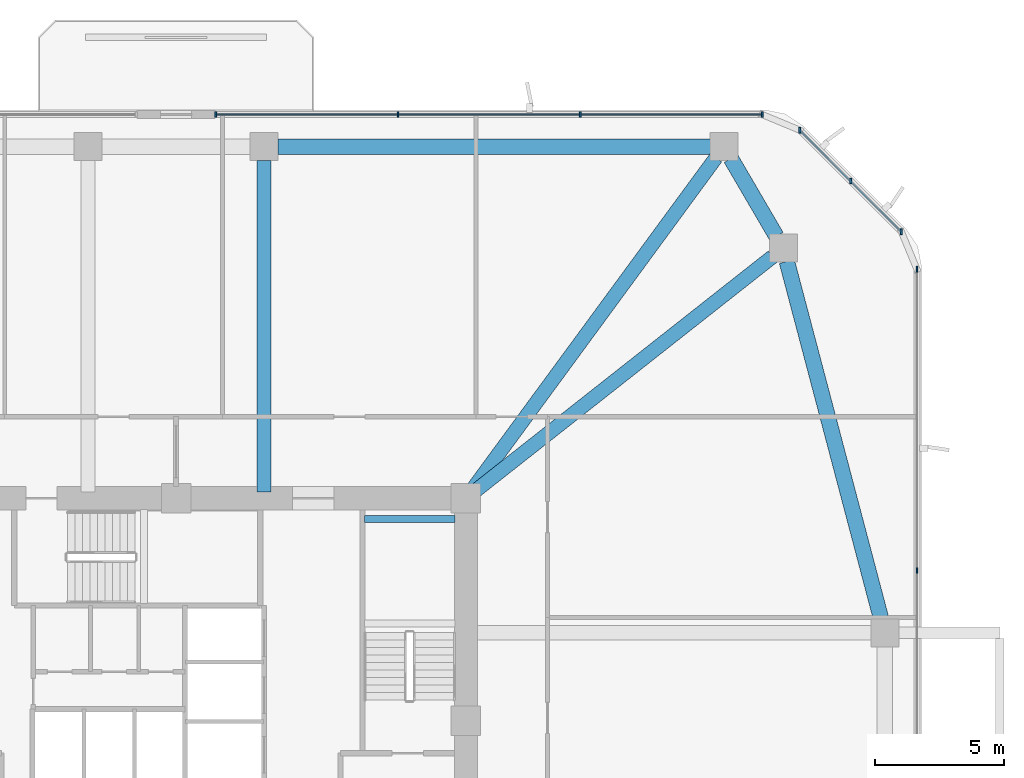
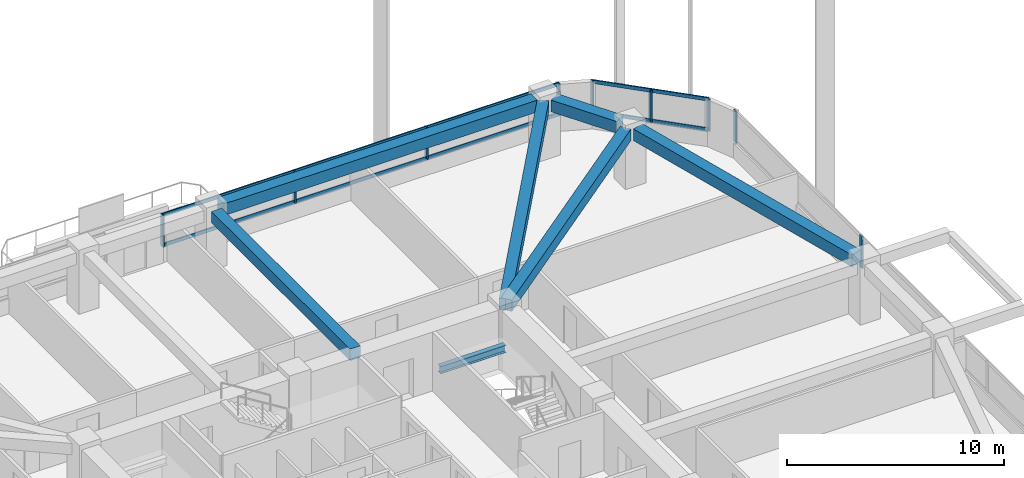
# One storey, part 7 of 17: 13 members, 7 beams, 3 elements without a shape of their own.
"""IFC4 building model written with IfcOpenShell, lengths in metres."""

from ifc_helpers import new_model, si_unit, derived_unit, direction, frame, origin, origin_2d, place, context, subcontext, project, spatial, rectangle, i_section, extrude, material, material_profile, profile_set, type_object, element, aggregate, save


model = new_model("IFC4")

# Units and contexts
model_context = context("Model", 3, precision=1e-05, world=origin(), true_north=direction((0.0, 1.0)))
body_context = subcontext(model_context, "Body", "Model", "MODEL_VIEW")
ifc_project = project(units=[si_unit("LENGTHUNIT", "METRE"), si_unit("AREAUNIT", "SQUARE_METRE"), si_unit("VOLUMEUNIT", "CUBIC_METRE"), si_unit("PLANEANGLEUNIT", "RADIAN"), si_unit("MASSUNIT", "GRAM", prefix="KILO"), derived_unit("THERMALTRANSMITTANCEUNIT", [(si_unit("POWERUNIT", "WATT"), 1), (si_unit("LENGTHUNIT", "METRE"), -2), (si_unit("THERMODYNAMICTEMPERATUREUNIT", "KELVIN"), -1)])], contexts=[model_context])

# Site, building, storey
site_placement = place(None, origin())
site = spatial("IfcSite", under=ifc_project, at=site_placement, CompositionType="ELEMENT")
building_placement = place(site_placement, origin())
building = spatial("IfcBuilding", under=site, at=building_placement, Name="Koralith Skygarden Medical Center", CompositionType="ELEMENT")
storey_placement = place(building_placement, frame((0.0, 0.0, 52.739990234375)))
storey = spatial("IfcBuildingStorey", under=building, at=storey_placement, Name="L13", CompositionType="ELEMENT", Elevation=52.739990234375)

# Curtain wall, members
ifc_material_1 = material(Name="Clear Laminated Glass", Category="glass")
curtain_wall_type = type_object("IfcCurtainWallType", Name="CW-2 Zone 1 Hurricane Unitised Curtain Wall", PredefinedType="NOTDEFINED", material=ifc_material_1)
curtain_wall_1_placement = place(storey_placement, origin())
curtain_wall_1 = element("IfcCurtainWall", 1, at=curtain_wall_1_placement, inside=storey, type_object=curtain_wall_type, Name="Curtain Wall CW-L13-E", PredefinedType="NOTDEFINED")
ifc_material_2 = material(Name="Aluminium 6063-T6", Category="aluminium")
ifc_material_profile_1 = material_profile(ifc_material_2, rectangle(XDim=0.071044921875, YDim=0.219970703125, at=origin_2d()), Name="MUL71X220")
ifc_profile_set_1 = profile_set([ifc_material_profile_1], Name="Aluminium 6063-T6")
member_type_1 = type_object("IfcMemberType", Name="CW-2 Extruded Mullion 71x220", PredefinedType="MULLION", material=ifc_profile_set_1)
member_1_placement = place(storey_placement, frame((65.6201171875, 31.715087890625, 0.85009765625), z_axis=(0.0, 0.0, 1.0), x_axis=(1.0, 0.0, 0.0)))
member_1 = element("IfcMember", 2, at=member_1_placement, type_object=member_type_1, Name="CW-L13-E Mullion 3", PredefinedType="MULLION", context=body_context, shape_type="SweptSolid", body=[
    extrude(rectangle(XDim=0.071044921875, YDim=0.219970703125, at=origin_2d()), origin(), (0.0, 0.0, 1.0), 1.7998046875),
])
member_2_placement = place(storey_placement, frame((65.6201171875, 43.344970703125, 0.85009765625), z_axis=(0.0, 0.0, 1.0), x_axis=(1.0, 0.0, 0.0)))
member_2 = element("IfcMember", 3, at=member_2_placement, type_object=member_type_1, Name="CW-L13-E Mullion 4", PredefinedType="MULLION", context=body_context, shape_type="SweptSolid", body=[
    extrude(rectangle(XDim=0.071044921875, YDim=0.219970703125, at=origin_2d()), origin(), (0.0, 0.0, 1.0), 1.7998046875),
])
aggregate(curtain_wall_1, [member_1, member_2])

curtain_wall_2_placement = place(storey_placement, origin())
curtain_wall_2 = element("IfcCurtainWall", 4, at=curtain_wall_2_placement, inside=storey, type_object=curtain_wall_type, Name="Curtain Wall CW-L13-NE", PredefinedType="NOTDEFINED")
member_3_placement = place(storey_placement, frame((65.01904296875, 44.7958984375, 0.85009765625), z_axis=(0.0, 0.0, 1.0), x_axis=(1.0, 0.0, 0.0)))
member_3 = element("IfcMember", 5, at=member_3_placement, type_object=member_type_1, Name="CW-L13-NE Mullion 1", PredefinedType="MULLION", context=body_context, shape_type="SweptSolid", body=[
    extrude(rectangle(XDim=0.071044921875, YDim=0.219970703125, at=origin_2d()), origin(), (0.0, 0.0, 1.0), 1.7998046875),
])
member_4_placement = place(storey_placement, frame((63.05810546875, 46.758056640625, 0.85009765625), z_axis=(0.0, 0.0, 1.0), x_axis=(1.0, 0.0, 0.0)))
member_4 = element("IfcMember", 6, at=member_4_placement, type_object=member_type_1, Name="CW-L13-NE Mullion 2", PredefinedType="MULLION", context=body_context, shape_type="SweptSolid", body=[
    extrude(rectangle(XDim=0.071044921875, YDim=0.219970703125, at=origin_2d()), origin(), (0.0, 0.0, 1.0), 1.7998046875),
])
member_5_placement = place(storey_placement, frame((61.095947265625, 48.718994140625, 0.85009765625), z_axis=(0.0, 0.0, 1.0), x_axis=(1.0, 0.0, 0.0)))
member_5 = element("IfcMember", 7, at=member_5_placement, type_object=member_type_1, Name="CW-L13-NE Mullion 3", PredefinedType="MULLION", context=body_context, shape_type="SweptSolid", body=[
    extrude(rectangle(XDim=0.071044921875, YDim=0.219970703125, at=origin_2d()), origin(), (0.0, 0.0, 1.0), 1.7998046875),
])

curtain_wall_3_placement = place(storey_placement, origin())
curtain_wall_3 = element("IfcCurtainWall", 8, at=curtain_wall_3_placement, inside=storey, type_object=curtain_wall_type, Name="Curtain Wall CW-L13-N-L", PredefinedType="NOTDEFINED")
member_6_placement = place(storey_placement, frame((59.64501953125, 49.320068359375, 0.85009765625), z_axis=(0.0, 0.0, 1.0), x_axis=(1.0, 0.0, 0.0)))
member_6 = element("IfcMember", 9, at=member_6_placement, type_object=member_type_1, Name="CW-L13-N-L Mullion 1", PredefinedType="MULLION", context=body_context, shape_type="SweptSolid", body=[
    extrude(rectangle(XDim=0.071044921875, YDim=0.219970703125, at=origin_2d()), origin(), (0.0, 0.0, 1.0), 1.7998046875),
])
member_7_placement = place(storey_placement, frame((52.610107421875, 49.320068359375, 0.85009765625), z_axis=(0.0, 0.0, 1.0), x_axis=(1.0, 0.0, 0.0)))
member_7 = element("IfcMember", 10, at=member_7_placement, type_object=member_type_1, Name="CW-L13-N-L Mullion 2", PredefinedType="MULLION", context=body_context, shape_type="SweptSolid", body=[
    extrude(rectangle(XDim=0.071044921875, YDim=0.219970703125, at=origin_2d()), origin(), (0.0, 0.0, 1.0), 1.7998046875),
])
member_8_placement = place(storey_placement, frame((45.574951171875, 49.320068359375, 0.85009765625), z_axis=(0.0, 0.0, 1.0), x_axis=(1.0, 0.0, 0.0)))
member_8 = element("IfcMember", 11, at=member_8_placement, type_object=member_type_1, Name="CW-L13-N-L Mullion 3", PredefinedType="MULLION", context=body_context, shape_type="SweptSolid", body=[
    extrude(rectangle(XDim=0.071044921875, YDim=0.219970703125, at=origin_2d()), origin(), (0.0, 0.0, 1.0), 1.7998046875),
])
member_9_placement = place(storey_placement, frame((38.5400390625, 49.320068359375, 0.85009765625), z_axis=(0.0, 0.0, 1.0), x_axis=(1.0, 0.0, 0.0)))
member_9 = element("IfcMember", 12, at=member_9_placement, type_object=member_type_1, Name="CW-L13-N-L Mullion 4", PredefinedType="MULLION", context=body_context, shape_type="SweptSolid", body=[
    extrude(rectangle(XDim=0.071044921875, YDim=0.219970703125, at=origin_2d()), origin(), (0.0, 0.0, 1.0), 1.7998046875),
])

# Member
ifc_material_profile_2 = material_profile(ifc_material_2, rectangle(XDim=0.06591796875, YDim=0.197998046875, at=origin_2d()), Name="TRN66X198")
ifc_profile_set_2 = profile_set([ifc_material_profile_2], Name="Aluminium 6063-T6")
member_type_2 = type_object("IfcMemberType", Name="CW-2 Thermal Transom 66x198", PredefinedType="USERDEFINED", material=ifc_profile_set_2)
member_10_placement = place(storey_placement, frame((65.01904296875, 44.7958984375, 0.89990234375), z_axis=(-0.707106781187, 0.707106781187, 0.0), x_axis=(-0.707106781187, -0.707106781187, 0.0)))
member_10 = element("IfcMember", 13, at=member_10_placement, type_object=member_type_2, Name="CW-L13-NE Transom 1", ObjectType="TRANSOM", PredefinedType="USERDEFINED", context=body_context, shape_type="SweptSolid", body=[
    extrude(rectangle(XDim=0.06591796875, YDim=0.197998046875, at=origin_2d()), origin(), (0.0, 0.0, 1.0), 5.548095703125),
])

member_11_placement = place(storey_placement, frame((65.01904296875, 44.7958984375, 2.60009765625), z_axis=(-0.707106781187, 0.707106781187, 0.0), x_axis=(-0.707106781187, -0.707106781187, 0.0)))
member_11 = element("IfcMember", 14, at=member_11_placement, type_object=member_type_2, Name="CW-L13-NE Transom 2", ObjectType="TRANSOM", PredefinedType="USERDEFINED", context=body_context, shape_type="SweptSolid", body=[
    extrude(rectangle(XDim=0.06591796875, YDim=0.197998046875, at=origin_2d()), origin(), (0.0, 0.0, 1.0), 5.548095703125),
])

aggregate(curtain_wall_2, [member_3, member_4, member_5, member_10, member_11])

member_12_placement = place(storey_placement, frame((59.64501953125, 49.320068359375, 0.89990234375), z_axis=(-1.0, 0.0, 0.0), x_axis=(0.0, -1.0, 0.0)))
member_12 = element("IfcMember", 15, at=member_12_placement, type_object=member_type_2, Name="CW-L13-N-L Transom 1", ObjectType="TRANSOM", PredefinedType="USERDEFINED", context=body_context, shape_type="SweptSolid", body=[
    extrude(rectangle(XDim=0.06591796875, YDim=0.197998046875, at=origin_2d()), origin(), (0.0, 0.0, 1.0), 21.10498046875),
])

member_13_placement = place(storey_placement, frame((59.64501953125, 49.320068359375, 2.60009765625), z_axis=(-1.0, 0.0, 0.0), x_axis=(0.0, -1.0, 0.0)))
member_13 = element("IfcMember", 16, at=member_13_placement, type_object=member_type_2, Name="CW-L13-N-L Transom 2", ObjectType="TRANSOM", PredefinedType="USERDEFINED", context=body_context, shape_type="SweptSolid", body=[
    extrude(rectangle(XDim=0.06591796875, YDim=0.197998046875, at=origin_2d()), origin(), (0.0, 0.0, 1.0), 21.10498046875),
])

aggregate(curtain_wall_3, [member_6, member_7, member_8, member_9, member_12, member_13])

# Beams
ifc_material_3 = material(Name="Steel ASTM A992 Grade 50", Category="steel")
ifc_material_profile_3 = material_profile(ifc_material_3, i_section(OverallWidth=0.260009765625, OverallDepth=0.4150390625, WebThickness=0.010009765625, FlangeThickness=0.016845703125, at=origin_2d()), Name="W16X67")
ifc_profile_set_3 = profile_set([ifc_material_profile_3], Name="Steel ASTM A992 Grade 50")
beam_type_1 = type_object("IfcBeamType", Name="Clinical Floor Joist W16X67", PredefinedType="JOIST", material=ifc_profile_set_3)
beam_1_placement = place(storey_placement, frame((44.280029296875, 33.699951171875, 1.39208984375), z_axis=(1.0, 0.0, 0.0), x_axis=(0.0, 1.0, 0.0)))
element("IfcBeam", 17, at=beam_1_placement, inside=storey, type_object=beam_type_1, Name="L13 Stair ST2 Half-Landing Support Beam 1B", PredefinedType="JOIST", context=body_context, shape_type="SweptSolid", body=[
    extrude(i_section(OverallWidth=0.260009765625, OverallDepth=0.4150390625, WebThickness=0.010009765625, FlangeThickness=0.016845703125, at=origin_2d()), origin(), (0.0, 0.0, 1.0), 3.489990234375),
])
ifc_material_4 = material(Name="Concrete C45/55", Category="concrete")
ifc_material_profile_4 = material_profile(ifc_material_4, rectangle(XDim=0.550048828125, YDim=0.639892578125, at=origin_2d()), Name="RCB550X640")
ifc_profile_set_4 = profile_set([ifc_material_profile_4], Name="Concrete C45/55")
beam_type_2 = type_object("IfcBeamType", Name="Radial Collector Beam RCB550X640", PredefinedType="BEAM", material=ifc_profile_set_4)
beam_2_placement = place(storey_placement, frame((48.39599609375, 34.655029296875, 3.0), z_axis=(0.785497250365, 0.618865146594, 0.0), x_axis=(-0.618865146594, 0.785497250365, 0.0)))
element("IfcBeam", 18, at=beam_2_placement, inside=storey, type_object=beam_type_2, Name="L13 Radial Collector Beam RB-10", PredefinedType="BEAM", context=body_context, shape_type="SweptSolid", body=[
    extrude(rectangle(XDim=0.550048828125, YDim=0.639892578125, at=origin_2d()), origin(), (0.0, 0.0, 1.0), 14.828857421875),
])
beam_3_placement = place(storey_placement, frame((48.347900390625, 34.701904296875, 3.0), z_axis=(0.591710803277, 0.806150311843, 0.0), x_axis=(-0.806150311843, 0.591710803277, 0.0)))
element("IfcBeam", 19, at=beam_3_placement, inside=storey, type_object=beam_type_2, Name="L13 Radial Collector Beam RB-11", PredefinedType="BEAM", context=body_context, shape_type="SweptSolid", body=[
    extrude(rectangle(XDim=0.550048828125, YDim=0.639892578125, at=origin_2d()), origin(), (0.0, 0.0, 1.0), 16.0654296875),
])
beam_4_placement = place(storey_placement, frame((40.39990234375, 34.75, 3.0), z_axis=(0.0, 1.0, 0.0), x_axis=(-1.0, 0.0, 0.0)))
element("IfcBeam", 20, at=beam_4_placement, inside=storey, type_object=beam_type_2, Name="L13 Radial Collector Beam RB-12", PredefinedType="BEAM", context=body_context, shape_type="SweptSolid", body=[
    extrude(rectangle(XDim=0.550048828125, YDim=0.639892578125, at=origin_2d()), origin(), (0.0, 0.0, 1.0), 12.800048828125),
])
ifc_material_profile_5 = material_profile(ifc_material_4, rectangle(XDim=0.60009765625, YDim=0.659912109375, at=origin_2d()), Name="RCB600X660")
ifc_profile_set_5 = profile_set([ifc_material_profile_5], Name="Concrete C45/55")
beam_type_3 = type_object("IfcBeamType", Name="Zone 1 Spandrel Beam RCB600X660", PredefinedType="SPANDREL", material=ifc_profile_set_5)
beam_5_placement = place(storey_placement, frame((64.2451171875, 29.81201171875, 2.989990234375), z_axis=(-0.255088684842, 0.966917660851, 0.0), x_axis=(-0.966917660851, -0.255088684842, 0.0)))
element("IfcBeam", 21, at=beam_5_placement, inside=storey, type_object=beam_type_3, Name="L13 Perimeter Spandrel Beam SP-09", PredefinedType="SPANDREL", context=body_context, shape_type="SweptSolid", body=[
    extrude(rectangle(XDim=0.60009765625, YDim=0.659912109375, at=origin_2d()), origin(), (0.0, 0.0, 1.0), 14.309326171875),
])
beam_6_placement = place(storey_placement, frame((60.19189453125, 44.617919921875, 2.989990234375), z_axis=(-0.504608092658, 0.863348523381, 0.0), x_axis=(-0.863348523381, -0.504608092658, 0.0)))
element("IfcBeam", 22, at=beam_6_placement, inside=storey, type_object=beam_type_3, Name="L13 Perimeter Spandrel Beam SP-10", PredefinedType="SPANDREL", context=body_context, shape_type="SweptSolid", body=[
    extrude(rectangle(XDim=0.60009765625, YDim=0.659912109375, at=origin_2d()), origin(), (0.0, 0.0, 1.0), 3.479736328125),
])
beam_7_placement = place(storey_placement, frame((57.637939453125, 48.080078125, 2.989990234375), z_axis=(-1.0, 0.0, 0.0), x_axis=(0.0, -1.0, 0.0)))
element("IfcBeam", 23, at=beam_7_placement, inside=storey, type_object=beam_type_3, Name="L13 Perimeter Spandrel Beam SP-11", PredefinedType="SPANDREL", context=body_context, shape_type="SweptSolid", body=[
    extrude(rectangle(XDim=0.60009765625, YDim=0.659912109375, at=origin_2d()), origin(), (0.0, 0.0, 1.0), 16.7080078125),
])

save(model, "model.ifc")
